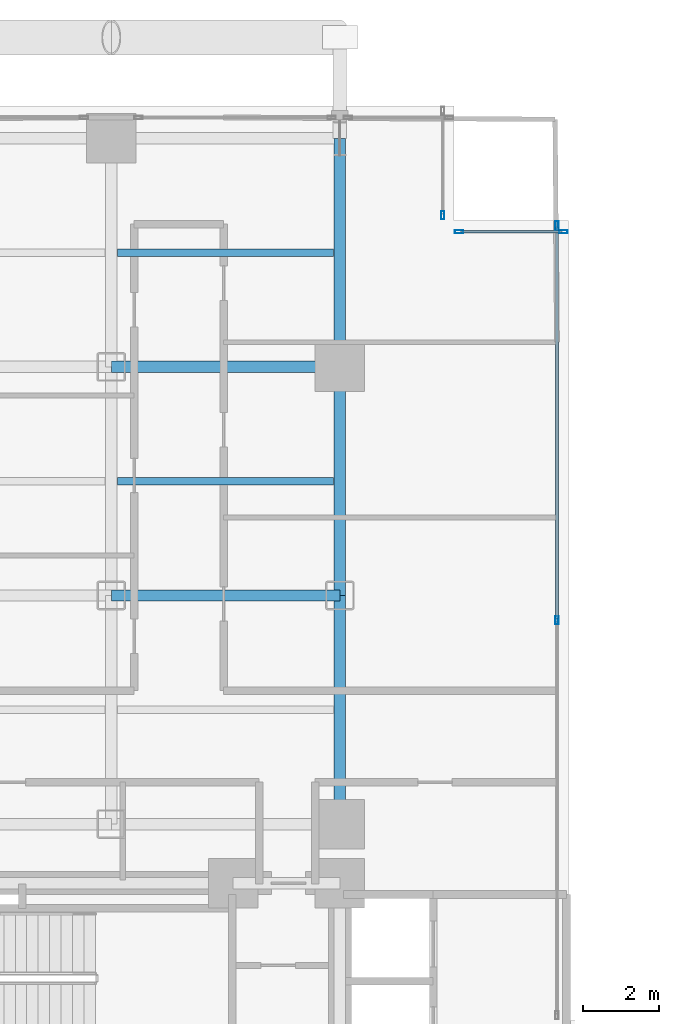
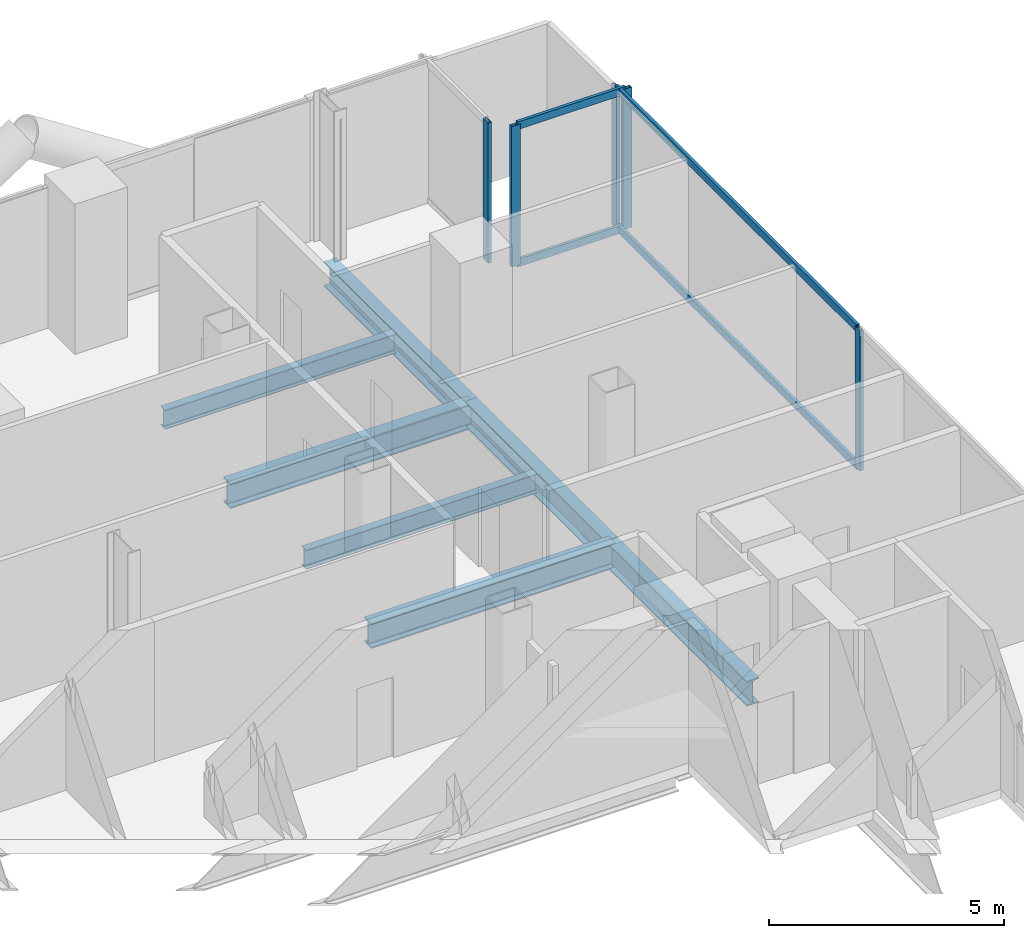
# One storey, part 15 of 25: 9 members, 7 beams, 3 elements without a shape of their own.
"""IFC4 building model written with IfcOpenShell, lengths in metres."""

from ifc_helpers import new_model, si_unit, direction, frame, origin, origin_2d, place, context, subcontext, project, spatial, hollow_rectangle, i_section, extrude, material, layer, layer_set, material_profile, profile_set, type_object, element, aggregate, save


model = new_model("IFC4")

# Units and contexts
model_context = context("Model", 3, precision=1e-05, world=origin(), true_north=direction((0.0, 1.0)))
body_context = subcontext(model_context, "Body", "Model", "MODEL_VIEW")
ifc_project = project(units=[si_unit("LENGTHUNIT", "METRE"), si_unit("AREAUNIT", "SQUARE_METRE"), si_unit("VOLUMEUNIT", "CUBIC_METRE"), si_unit("PLANEANGLEUNIT", "RADIAN"), si_unit("MASSUNIT", "GRAM", prefix="KILO"), si_unit("THERMODYNAMICTEMPERATUREUNIT", "KELVIN"), si_unit("POWERUNIT", "WATT")], contexts=[model_context])

# Site, building, storey
site_placement = place(None, origin())
site = spatial("IfcSite", under=ifc_project, at=site_placement, CompositionType="ELEMENT")
building_placement = place(site_placement, origin())
building = spatial("IfcBuilding", under=site, at=building_placement, Name="Svarakhadi Broadcast Tower", CompositionType="ELEMENT")
storey_placement = place(building_placement, frame((0.0, 0.0, 48.0)))
storey = spatial("IfcBuildingStorey", under=building, at=storey_placement, Name="L10", CompositionType="ELEMENT", Elevation=48.0)

# Beams
ifc_material_1 = material(Name="Steel S355J2 (IS 2062 E350C)", Category="steel")
ifc_material_profile_1 = material_profile(ifc_material_1, i_section(OverallWidth=0.199951171875, OverallDepth=0.5, WebThickness=0.01025390625, FlangeThickness=0.01611328125, FilletRadius=0.02099609375, at=origin_2d()), Name="NPB 500x200x91")
ifc_profile_set_1 = profile_set([ifc_material_profile_1], Name="Steel S355J2 (IS 2062 E350C)")
beam_type_1 = type_object("IfcBeamType", Name="Beam_NPB500", PredefinedType="BEAM", material=ifc_profile_set_1)
for number, where, z_axis, x_axis, name in (
    (1, (12.159912109375, 38.14990234375, -0.5), (1.0, 0.0, 0.0), (0.0, 1.0, 0.0), "L10 Secondary Composite Beam SB017"),
    (2, (12.159912109375, 44.14990234375, -0.5), (1.0, 0.0, 0.0), (0.0, 1.0, 0.0), "L10 Secondary Composite Beam SB018"),
):
    element("IfcBeam", number, at=place(storey_placement, frame(where, z_axis=z_axis, x_axis=x_axis)), inside=storey, type_object=beam_type_1, Name=name, PredefinedType="BEAM", context=body_context, shape_type="SweptSolid", body=[
        extrude(i_section(OverallWidth=0.199951171875, OverallDepth=0.5, WebThickness=0.01025390625, FlangeThickness=0.01611328125, FilletRadius=0.02099609375, at=origin_2d()), origin(), (0.0, 0.0, 1.0), 5.68017578125),
    ])

# Curtain wall, member
ifc_material_2 = material(Name="Anodised Bronze Aluminium AA 6063-T6", Category="aluminium")
ifc_layer = layer(ifc_material_2, 0.219970703125)
ifc_layer_set = layer_set([ifc_layer], Name="Anodised Bronze Aluminium AA 6063-T6")
curtain_wall_type = type_object("IfcCurtainWallType", Name="CW_Sys_02", PredefinedType="NOTDEFINED", material=ifc_layer_set)
curtain_wall_1_placement = place(storey_placement, origin())
curtain_wall_1 = element("IfcCurtainWall", 3, at=curtain_wall_1_placement, inside=storey, type_object=curtain_wall_type, Name="L10 Unitised Facade Curtain Wall 07", PredefinedType="NOTDEFINED")
ifc_material_profile_2 = material_profile(ifc_material_2, hollow_rectangle(XDim=0.0849609375, YDim=0.219970703125, WallThickness=0.006103515625, at=origin_2d()), Name="ALU MULLION 220x85x6")
ifc_profile_set_2 = profile_set([ifc_material_profile_2], Name="Anodised Bronze Aluminium AA 6063-T6")
member_type_1 = type_object("IfcMemberType", Name="CW_Sys_02_Mul", PredefinedType="MULLION", material=ifc_profile_set_2)
member_1_placement = place(storey_placement, frame((20.699951171875, 45.132568359375, 0.0), z_axis=(0.0, 0.0, 1.0), x_axis=(1.0, 0.0, 0.0)))
member_1 = element("IfcMember", 4, at=member_1_placement, type_object=member_type_1, Name="CW-02 mullion 2", PredefinedType="MULLION", context=body_context, shape_type="SweptSolid", body=[
    extrude(hollow_rectangle(XDim=0.0849609375, YDim=0.219970703125, WallThickness=0.006103515625, at=origin_2d()), origin(), (0.0, 0.0, 1.0), 3.64990234375),
])
aggregate(curtain_wall_1, [member_1])

# Curtain wall, members
curtain_wall_2_placement = place(storey_placement, origin())
curtain_wall_2 = element("IfcCurtainWall", 5, at=curtain_wall_2_placement, inside=storey, type_object=curtain_wall_type, Name="L10 Unitised Facade Curtain Wall 08", PredefinedType="NOTDEFINED")
member_2_placement = place(storey_placement, frame((21.132568359375, 44.699951171875, 0.0), z_axis=(0.0, 0.0, 1.0), x_axis=(0.0, 1.0, 0.0)))
member_2 = element("IfcMember", 6, at=member_2_placement, type_object=member_type_1, Name="CW-02 mullion 1", PredefinedType="MULLION", context=body_context, shape_type="SweptSolid", body=[
    extrude(hollow_rectangle(XDim=0.0849609375, YDim=0.219970703125, WallThickness=0.006103515625, at=origin_2d()), origin(), (0.0, 0.0, 1.0), 3.64990234375),
])
member_3_placement = place(storey_placement, frame((23.867431640625, 44.699951171875, 0.0), z_axis=(0.0, 0.0, 1.0), x_axis=(0.0, 1.0, 0.0)))
member_3 = element("IfcMember", 7, at=member_3_placement, type_object=member_type_1, Name="CW-02 mullion 2", PredefinedType="MULLION", context=body_context, shape_type="SweptSolid", body=[
    extrude(hollow_rectangle(XDim=0.0849609375, YDim=0.219970703125, WallThickness=0.006103515625, at=origin_2d()), origin(), (0.0, 0.0, 1.0), 3.64990234375),
])

curtain_wall_3_placement = place(storey_placement, origin())
curtain_wall_3 = element("IfcCurtainWall", 8, at=curtain_wall_3_placement, inside=storey, type_object=curtain_wall_type, Name="L10 Unitised Facade Curtain Wall 09", PredefinedType="NOTDEFINED")
member_4_placement = place(storey_placement, frame((23.699951171875, 44.867431640625, 0.0), z_axis=(0.0, 0.0, 1.0), x_axis=(1.0, 0.0, 0.0)))
member_4 = element("IfcMember", 9, at=member_4_placement, type_object=member_type_1, Name="CW-02 mullion 1", PredefinedType="MULLION", context=body_context, shape_type="SweptSolid", body=[
    extrude(hollow_rectangle(XDim=0.0849609375, YDim=0.219970703125, WallThickness=0.006103515625, at=origin_2d()), origin(), (0.0, 0.0, 1.0), 3.64990234375),
])
member_5_placement = place(storey_placement, frame((23.699951171875, 34.5, 0.0), z_axis=(0.0, 0.0, 1.0), x_axis=(1.0, 0.0, 0.0)))
member_5 = element("IfcMember", 10, at=member_5_placement, type_object=member_type_1, Name="CW-02 mullion 2", PredefinedType="MULLION", context=body_context, shape_type="SweptSolid", body=[
    extrude(hollow_rectangle(XDim=0.0849609375, YDim=0.219970703125, WallThickness=0.006103515625, at=origin_2d()), origin(), (0.0, 0.0, 1.0), 3.64990234375),
])

# Member
ifc_material_profile_3 = material_profile(ifc_material_2, hollow_rectangle(XDim=0.074951171875, YDim=0.199951171875, WallThickness=0.0048828125, at=origin_2d()), Name="ALU TRANSOM 200x75x5")
ifc_profile_set_3 = profile_set([ifc_material_profile_3], Name="Anodised Bronze Aluminium AA 6063-T6")
member_type_2 = type_object("IfcMemberType", Name="CW_Sys_02_Trn", PredefinedType="USERDEFINED", material=ifc_profile_set_3)
member_6_placement = place(storey_placement, frame((21.175048828125, 44.699951171875, 0.03759765625), z_axis=(1.0, 0.0, 0.0), x_axis=(0.0, 1.0, 0.0)))
member_6 = element("IfcMember", 11, at=member_6_placement, type_object=member_type_2, Name="CW-02 transom 1.1", ObjectType="TRANSOM", PredefinedType="USERDEFINED", context=body_context, shape_type="SweptSolid", body=[
    extrude(hollow_rectangle(XDim=0.074951171875, YDim=0.199951171875, WallThickness=0.0048828125, at=origin_2d()), origin(), (0.0, 0.0, 1.0), 2.64990234375),
])

member_7_placement = place(storey_placement, frame((21.175048828125, 44.699951171875, 3.612548828125), z_axis=(1.0, 0.0, 0.0), x_axis=(0.0, 1.0, 0.0)))
member_7 = element("IfcMember", 12, at=member_7_placement, type_object=member_type_2, Name="CW-02 transom 1.2", ObjectType="TRANSOM", PredefinedType="USERDEFINED", context=body_context, shape_type="SweptSolid", body=[
    extrude(hollow_rectangle(XDim=0.074951171875, YDim=0.199951171875, WallThickness=0.0048828125, at=origin_2d()), origin(), (0.0, 0.0, 1.0), 2.64990234375),
])

aggregate(curtain_wall_2, [member_2, member_3, member_6, member_7])

member_8_placement = place(storey_placement, frame((23.699951171875, 44.824951171875, 0.03759765625), z_axis=(0.0, -1.0, 0.0), x_axis=(1.0, 0.0, 0.0)))
member_8 = element("IfcMember", 13, at=member_8_placement, type_object=member_type_2, Name="CW-02 transom 1.1", ObjectType="TRANSOM", PredefinedType="USERDEFINED", context=body_context, shape_type="SweptSolid", body=[
    extrude(hollow_rectangle(XDim=0.074951171875, YDim=0.199951171875, WallThickness=0.0048828125, at=origin_2d()), origin(), (0.0, 0.0, 1.0), 10.282470703125),
])

member_9_placement = place(storey_placement, frame((23.699951171875, 44.824951171875, 3.612548828125), z_axis=(0.0, -1.0, 0.0), x_axis=(1.0, 0.0, 0.0)))
member_9 = element("IfcMember", 14, at=member_9_placement, type_object=member_type_2, Name="CW-02 transom 1.2", ObjectType="TRANSOM", PredefinedType="USERDEFINED", context=body_context, shape_type="SweptSolid", body=[
    extrude(hollow_rectangle(XDim=0.074951171875, YDim=0.199951171875, WallThickness=0.0048828125, at=origin_2d()), origin(), (0.0, 0.0, 1.0), 10.282470703125),
])

aggregate(curtain_wall_3, [member_4, member_5, member_8, member_9])

# Beams
ifc_material_profile_4 = material_profile(ifc_material_1, i_section(OverallWidth=0.300048828125, OverallDepth=0.64990234375, WebThickness=0.01611328125, FlangeThickness=0.031005859375, FilletRadius=0.027099609375, at=origin_2d()), Name="WPB 650x300x225")
ifc_profile_set_4 = profile_set([ifc_material_profile_4], Name="Steel S355J2 (IS 2062 E350C)")
beam_type_2 = type_object("IfcBeamType", Name="Girder_WPB650", PredefinedType="USERDEFINED", material=ifc_profile_set_4)
for number, where, z_axis, x_axis, name in (
    (15, (12.0, 35.14990234375, -0.574951171875), (1.0, 0.0, 0.0), (0.0, 1.0, 0.0), "L10 Primary E-W Girder G039"),
    (16, (12.0, 41.14990234375, -0.574951171875), (1.0, 0.0, 0.0), (0.0, 1.0, 0.0), "L10 Primary E-W Girder G042"),
    (17, (18.0, 29.14990234375, -0.574951171875), (0.0, 1.0, 0.0), (-1.0, 0.0, 0.0), "L10 Primary N-S Girder G068"),
    (18, (18.0, 35.14990234375, -0.574951171875), (0.0, 1.0, 0.0), (-1.0, 0.0, 0.0), "L10 Primary N-S Girder G069"),
    (19, (18.0, 41.14990234375, -0.574951171875), (0.0, 1.0, 0.0), (-1.0, 0.0, 0.0), "L10 Primary N-S Girder G070"),
):
    element("IfcBeam", number, at=place(storey_placement, frame(where, z_axis=z_axis, x_axis=x_axis)), inside=storey, type_object=beam_type_2, Name=name, ObjectType="GIRDER", PredefinedType="USERDEFINED", context=body_context, shape_type="SweptSolid", body=[
        extrude(i_section(OverallWidth=0.300048828125, OverallDepth=0.64990234375, WebThickness=0.01611328125, FlangeThickness=0.031005859375, FilletRadius=0.027099609375, at=origin_2d()), origin(), (0.0, 0.0, 1.0), 6.0),
    ])

save(model, "model.ifc")
